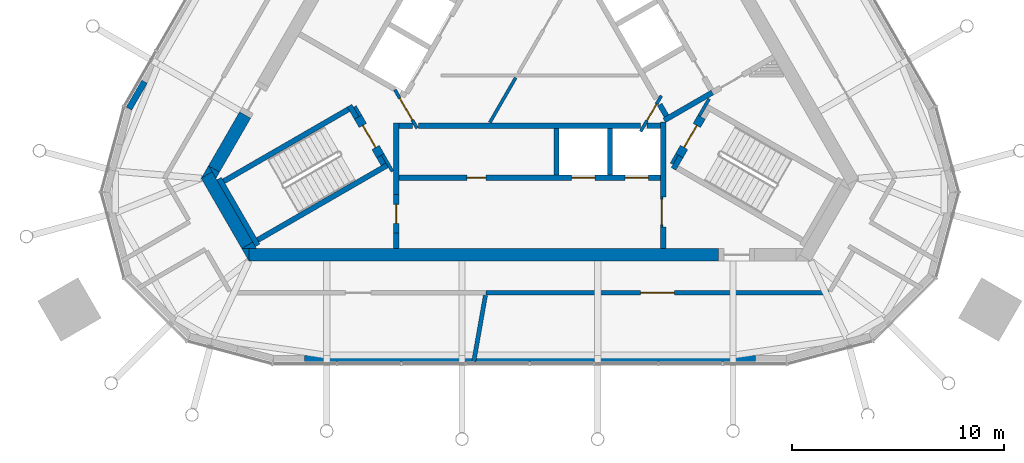
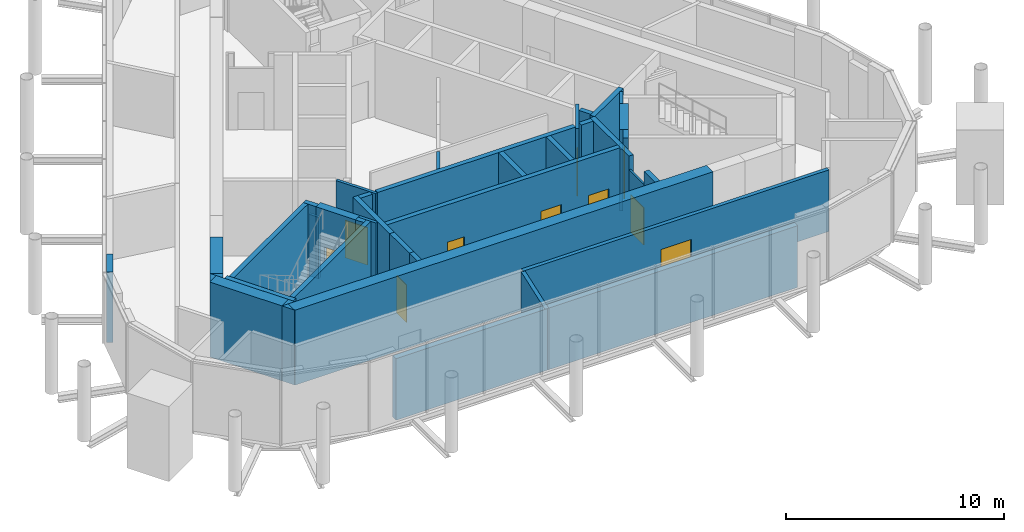
# One storey, part 7 of 11: 40 walls, 10 doors, 10 openings.
"""IFC4 building model written with IfcOpenShell, lengths in metres."""

import ifcopenshell
import ifcopenshell.guid

model = None  # the IFC model being written
_history = None  # IfcOwnerHistory: only IFC2X3 demands one
_inside = {}  # id of a spatial element -> (the spatial element, [elements in it])
_under = {}  # id of a project, library or spatial element -> (it, [spatial elements below it])
_declared = {}  # id of a project -> (the project, [libraries it declares])
_typed = {}  # id of a type object -> (the type object, [elements of that type])
_made_of = {}  # id of a material, layer set ... -> (it, [elements and type objects made of it])


def new_model(schema):
    """Start an empty IFC model of exactly this schema.

    Asked for "IFC4X3", IfcOpenShell would pick the latest addendum, in which some entities
    have other attributes; the version numbers below select the first issue.
    IFC2X3 requires an IfcOwnerHistory on every rooted entity: one is made here for all.
    """
    global model, _history
    if schema == "IFC4X3":
        model = ifcopenshell.file(schema_version=(4, 3, 0, 0))
    else:
        model = ifcopenshell.file(schema=schema)
    _inside.clear()
    _under.clear()
    _declared.clear()
    _typed.clear()
    _made_of.clear()
    _history = None
    if model.schema == "IFC2X3":
        org = make("IfcOrganization", Name="unknown")
        user = make(
            "IfcPersonAndOrganization",
            ThePerson=make("IfcPerson", FamilyName="unknown"),
            TheOrganization=org,
        )
        app = make(
            "IfcApplication",
            ApplicationDeveloper=org,
            Version="unknown",
            ApplicationFullName="unknown",
            ApplicationIdentifier="unknown",
        )
        _history = make(
            "IfcOwnerHistory",
            OwningUser=user,
            OwningApplication=app,
            ChangeAction="ADDED",
            CreationDate=0,
        )
    return model


def make(cls, **values):
    """One entity of the class cls with the attributes given. An attribute that is None is left unset."""
    return model.create_entity(
        cls, **{name: value for name, value in values.items() if value is not None}
    )


def rooted(cls, **values):
    """An entity with a GlobalId (a new one), such as an element, a storey or a relation."""
    return make(cls, GlobalId=ifcopenshell.guid.new(), OwnerHistory=_history, **values)


def si_unit(unit_type, name, prefix=None):
    """IfcSIUnit, for example si_unit("LENGTHUNIT", "METRE", prefix="MILLI")."""
    return make("IfcSIUnit", UnitType=unit_type, Prefix=prefix, Name=name)


def assignment(units):
    """IfcUnitAssignment: the units of a project."""
    return None if units is None else make("IfcUnitAssignment", Units=units)


def point(xyz):
    """IfcCartesianPoint."""
    return None if xyz is None else make("IfcCartesianPoint", Coordinates=xyz)


def direction(xyz):
    """IfcDirection."""
    return None if xyz is None else make("IfcDirection", DirectionRatios=xyz)


def frame(location, z_axis=None, x_axis=None):
    """IfcAxis2Placement3D, a coordinate frame: its origin and axes. An axis left out is left unset."""
    return make(
        "IfcAxis2Placement3D",
        Location=point(location),
        Axis=direction(z_axis),
        RefDirection=direction(x_axis),
    )


def frame_2d(location, x_axis=None):
    """IfcAxis2Placement2D, a coordinate frame in the plane: its origin and x axis."""
    return make(
        "IfcAxis2Placement2D", Location=point(location), RefDirection=direction(x_axis)
    )


def origin():
    """The frame at (0, 0, 0) with its axes left unset."""
    return frame((0.0, 0.0, 0.0))


def place(relative_to, where):
    """IfcLocalPlacement: puts the frame where relative to a parent placement (None: the world)."""
    return make(
        "IfcLocalPlacement", PlacementRelTo=relative_to, RelativePlacement=where
    )


def context(
    kind, dimensions, precision=None, world=None, true_north=None, identifier=None
):
    """IfcGeometricRepresentationContext, for example the 3D "Model" context."""
    return make(
        "IfcGeometricRepresentationContext",
        ContextIdentifier=identifier,
        ContextType=kind,
        CoordinateSpaceDimension=dimensions,
        Precision=precision,
        WorldCoordinateSystem=world,
        TrueNorth=true_north,
    )


def subcontext(parent, identifier, kind, view, scale=None):
    """IfcGeometricRepresentationSubContext, for example "Body" below "Model"."""
    return make(
        "IfcGeometricRepresentationSubContext",
        ContextIdentifier=identifier,
        ContextType=kind,
        ParentContext=parent,
        TargetScale=scale,
        TargetView=view,
    )


def project(units=None, contexts=None):
    """IfcProject with its units and contexts."""
    return rooted(
        "IfcProject",
        Name="project",
        RepresentationContexts=contexts,
        UnitsInContext=assignment(units),
    )


def spatial(cls, under=None, at=None, **own):
    """A site, building, storey or space (cls), placed at a placement, below another one or the project."""
    s = rooted(cls, ObjectPlacement=at, **own)
    if under is not None:
        _under.setdefault(under.id(), (under, []))[1].append(s)
    return s


def polyline(points):
    """IfcPolyline through the points."""
    return make("IfcPolyline", Points=[point(p) for p in points])


def profile(cls, at=None, kind="AREA", **sizes):
    """A parametric profile (cls). Its sizes go by their IFC names, for example OverallWidth=200.0."""
    return make(cls, ProfileType=kind, Position=at, **sizes)


def rectangle(**sizes):
    """IfcRectangleProfileDef."""
    return profile("IfcRectangleProfileDef", **sizes)


def outline(outer, holes=None, kind="AREA"):
    """IfcArbitraryClosedProfileDef: a profile drawn as a closed curve; with holes, ...WithVoids."""
    if holes is None:
        return make("IfcArbitraryClosedProfileDef", ProfileType=kind, OuterCurve=outer)
    return make(
        "IfcArbitraryProfileDefWithVoids",
        ProfileType=kind,
        OuterCurve=outer,
        InnerCurves=holes,
    )


def extrude(swept, where, along, depth):
    """IfcExtrudedAreaSolid: the profile swept, set in the frame where, extruded along a direction by depth."""
    return make(
        "IfcExtrudedAreaSolid",
        SweptArea=swept,
        Position=where,
        ExtrudedDirection=direction(along),
        Depth=depth,
    )


def shape(context_of_items, identifier, shape_type, items):
    """IfcShapeRepresentation: the items that make up one representation, for example the "Body"."""
    return make(
        "IfcShapeRepresentation",
        ContextOfItems=context_of_items,
        RepresentationIdentifier=identifier,
        RepresentationType=shape_type,
        Items=items,
    )


def material(Name=None, Category=None):
    """IfcMaterial."""
    return make("IfcMaterial", Name=Name, Category=Category)


def layer(
    of_material, thickness, ventilated=None, Name=None, Category=None, Priority=None
):
    """IfcMaterialLayer: one layer of a wall or slab, of a material (None: an air gap)."""
    return make(
        "IfcMaterialLayer",
        Material=of_material,
        LayerThickness=thickness,
        IsVentilated=ventilated,
        Name=Name,
        Category=Category,
        Priority=Priority,
    )


def layer_set(layers, Name=None):
    """IfcMaterialLayerSet."""
    return make("IfcMaterialLayerSet", MaterialLayers=layers, LayerSetName=Name)


def made_of(thing, what):
    """Note that an element or type object is made of a material, layer set ...; save() writes the relation."""
    if what is not None:
        _made_of.setdefault(what.id(), (what, []))[1].append(thing)
    return thing


def type_object(cls, material=None, **own):
    """A type object (cls), such as IfcWallType, which elements share."""
    return made_of(rooted(cls, **own), material)


def element(
    cls,
    number,
    at=None,
    inside=None,
    cuts=None,
    type_object=None,
    material=None,
    context=None,
    identifier="Body",
    shape_type=None,
    held_by="IfcProductDefinitionShape",
    body=None,
    shapes=None,
    **own,
):
    """One element of the class cls, such as IfcWall. Its Tag is "e" and its number.

    at: its placement. inside: the storey or other place that contains it. cuts: it is an
    opening in that element (IfcRelVoidsElement). A single representation is given by context,
    identifier, shape_type and body (its items); several are given by shapes. held_by: the class
    of the entity that holds the representations. save() writes the other relations.
    """
    e = rooted(cls, Tag="e%d" % number, ObjectPlacement=at, **own)
    if body is not None:
        shapes = [shape(context, identifier, shape_type, body)]
    if shapes is not None:
        e.Representation = make(held_by, Representations=shapes)
    if inside is not None:
        _inside.setdefault(inside.id(), (inside, []))[1].append(e)
    if cuts is not None:
        rooted(
            "IfcRelVoidsElement", RelatingBuildingElement=cuts, RelatedOpeningElement=e
        )
    if type_object is not None:
        _typed.setdefault(type_object.id(), (type_object, []))[1].append(e)
    return made_of(e, material)


def fill(opening, filler):
    """IfcRelFillsElement: the door or window that sits in an opening."""
    return rooted(
        "IfcRelFillsElement",
        RelatingOpeningElement=opening,
        RelatedBuildingElement=filler,
    )


def aggregate(whole, parts):
    """IfcRelAggregates: a whole, such as a stair, and the parts it consists of."""
    return rooted("IfcRelAggregates", RelatingObject=whole, RelatedObjects=parts)


def save(model, path):
    """Write the relations noted so far, then the file.

    IfcRelAggregates (storeys below a building ...), IfcRelContainedInSpatialStructure (elements
    in a storey), IfcRelDefinesByType, IfcRelAssociatesMaterial and IfcRelDeclares: one each for
    every whole, place, type object, material and project.
    """
    for whole, parts in _under.values():
        aggregate(whole, parts)
    for where, things in _inside.values():
        rooted(
            "IfcRelContainedInSpatialStructure",
            RelatedElements=things,
            RelatingStructure=where,
        )
    for kind, things in _typed.values():
        rooted("IfcRelDefinesByType", RelatedObjects=things, RelatingType=kind)
    for what, things in _made_of.values():
        rooted("IfcRelAssociatesMaterial", RelatedObjects=things, RelatingMaterial=what)
    for by, libraries in _declared.values():
        rooted("IfcRelDeclares", RelatingContext=by, RelatedDefinitions=libraries)
    model.write(path)


model = new_model("IFC4")

# Units and contexts
model_context = context("Model", 3, precision=1e-05, world=origin(), true_north=direction((0.0, 1.0)))
body_context = subcontext(model_context, "Body", "Model", "MODEL_VIEW")
ifc_project = project(units=[si_unit("LENGTHUNIT", "METRE"), si_unit("AREAUNIT", "SQUARE_METRE"), si_unit("VOLUMEUNIT", "CUBIC_METRE"), si_unit("PLANEANGLEUNIT", "RADIAN"), si_unit("MASSUNIT", "GRAM", prefix="KILO")], contexts=[model_context])

# Site, building, storey
site_placement = place(None, origin())
site = spatial("IfcSite", under=ifc_project, at=site_placement, CompositionType="ELEMENT")
building_placement = place(site_placement, origin())
building = spatial("IfcBuilding", under=site, at=building_placement, Name="Mestral Congress Tower", CompositionType="ELEMENT")
storey_placement = place(building_placement, frame((0.0, 0.0, 331.800048828125)))
storey = spatial("IfcBuildingStorey", under=building, at=storey_placement, Name="L77", CompositionType="ELEMENT", Elevation=331.800048828125)

# Walls
ifc_material_1 = material(Name="Fire-rated board partition")
ifc_layer_1 = layer(ifc_material_1, 0.14990234375)
ifc_layer_set_1 = layer_set([ifc_layer_1], Name="Fire-rated board partition")
wall_type_1 = type_object("IfcWallType", Name="Core partition 150", PredefinedType="PARTITIONING", material=ifc_layer_set_1)
for number, where, z_axis, x_axis, name in (
    (1, (-8.251953125, -2.958251953125, 0.0), (0.0, 0.0, 1.0), (0.500174715838, -0.865924508047, 0.0), "L77 core wall"),
    (2, (6.94482421875, -5.22216796875, 0.0), (0.0, 0.0, 1.0), (-0.499818422106, -0.866130212453, 0.0), "L77 core wall"),
):
    element("IfcWall", number, at=place(storey_placement, frame(where, z_axis=z_axis, x_axis=x_axis)), inside=storey, type_object=wall_type_1, Name=name, PredefinedType="PARTITIONING", context=body_context, shape_type="SweptSolid", body=[
        extrude(rectangle(XDim=0.513916015625, YDim=0.14990234375, at=frame_2d((0.2568359375, 0.0))), origin(), (0.0, 0.0, 1.0), 3.449951171875),
    ])
wall_1_placement = place(storey_placement, frame((-0.667724609375, -1.606689453125, 0.0), z_axis=(0.0, 0.0, 1.0), x_axis=(-0.50003736129, -0.866003832159, 0.0)))
element("IfcWall", 3, at=wall_1_placement, inside=storey, type_object=wall_type_1, Name="L77 core wall", PredefinedType="PARTITIONING", context=body_context, shape_type="SweptSolid", body=[
    extrude(rectangle(XDim=2.438232421875, YDim=0.14990234375, at=frame_2d((1.21923828125, 0.0))), origin(), (0.0, 0.0, 1.0), 3.449951171875),
])

# Wall, opening, door
ifc_layer_2 = layer(ifc_material_1, 0.090087890625)
ifc_layer_set_2 = layer_set([ifc_layer_2], Name="Fire-rated board partition")
wall_type_2 = type_object("IfcWallType", Name="Core partition 150 door-wall 90", PredefinedType="PARTITIONING", material=ifc_layer_set_2)
wall_2_placement = place(storey_placement, frame((6.219970703125, -7.23681640625, 0.0), z_axis=(0.0, 0.0, 1.0), x_axis=(0.0, -1.0, 0.0)))
wall_2 = element("IfcWall", 4, at=wall_2_placement, inside=storey, type_object=wall_type_2, Name="L77 door wall", PredefinedType="PARTITIONING", context=body_context, shape_type="SweptSolid", body=[
    extrude(rectangle(XDim=1.400146484375, YDim=0.090087890625, at=frame_2d((0.7001953125, 0.0))), origin(), (0.0, 0.0, 1.0), 3.449951171875),
])
opening_1_placement = place(wall_2_placement, frame((0.10009765625, 0.0, 0.0)))
opening_1 = element("IfcOpeningElement", 5, at=opening_1_placement, cuts=wall_2, Name="Opening LB0-WL1", PredefinedType="OPENING", context=body_context, shape_type="SweptSolid", body=[
    extrude(rectangle(XDim=1.199951171875, YDim=2.10009765625, at=frame_2d((0.60009765625, 1.050048828125))), frame((0.0, 0.054931640625, 0.0), z_axis=(0.0, -1.0, 0.0), x_axis=(1.0, 0.0, 0.0)), (0.0, 0.0, 1.0), 0.110107421875),
])
ifc_material_2 = material(Name="Fire-rated steel door set", Category="steel")
door_type_1 = type_object("IfcDoorType", Name="Core door LB 1200x2100", OperationType="SINGLE_SWING_LEFT", PredefinedType="DOOR", material=ifc_material_2)
door_1_placement = place(opening_1_placement, origin())
door_1 = element("IfcDoor", 6, at=door_1_placement, inside=storey, type_object=door_type_1, Name="Door LB0-WL1", OperationType="SINGLE_SWING_LEFT", OverallHeight=2.10009765625, OverallWidth=1.199951171875, PredefinedType="DOOR", context=body_context, shape_type="SweptSolid", body=[
    extrude(rectangle(XDim=1.199951171875, YDim=2.10009765625, at=frame_2d((0.60009765625, 1.050048828125))), frame((0.0, 0.02490234375, 0.0), z_axis=(0.0, -1.0, 0.0), x_axis=(1.0, 0.0, 0.0)), (0.0, 0.0, 1.0), 0.050048828125),
])
fill(opening_1, door_1)

# Walls
ifc_material_3 = material(Name="Concrete C60/75", Category="concrete")
ifc_layer_3 = layer(ifc_material_3, 0.60009765625)
ifc_layer_set_3 = layer_set([ifc_layer_3], Name="Concrete C60/75")
wall_type_3 = type_object("IfcWallType", Name="Core wall RC 600", PredefinedType="SOLIDWALL", material=ifc_layer_set_3)
wall_3_placement = place(storey_placement, frame((8.904296875, -9.949951171875, 0.0), z_axis=(0.0, 0.0, 1.0), x_axis=(-1.0, 0.0, 0.0)))
element("IfcWall", 7, at=wall_3_placement, inside=storey, type_object=wall_type_3, Name="L77 core wall", PredefinedType="SOLIDWALL", context=body_context, shape_type="SweptSolid", body=[
    extrude(rectangle(XDim=22.160888671875, YDim=0.60009765625, at=frame_2d((11.08056640625, 0.0))), origin(), (0.0, 0.0, 1.0), 4.199951171875),
])
placement = place(storey_placement, origin())
element("IfcWall", 8, at=placement, inside=storey, type_object=wall_type_3, Name="L77 core wall", PredefinedType="SOLIDWALL", context=body_context, shape_type="SweptSolid", body=[
    extrude(outline(polyline([(-13.5966796875, -9.64990234375), (-13.258544921875, -9.64990234375), (-13.258544921875, -10.235595703125), (-13.5966796875, -9.64990234375)])), origin(), (0.0, 0.0, 1.0), 4.199951171875),
])
wall_5_placement = place(storey_placement, frame((-13.33349609375, -9.505615234375, 0.0), z_axis=(0.0, 0.0, 1.0), x_axis=(-0.500019073792, 0.866014391245, 0.0)))
element("IfcWall", 9, at=wall_5_placement, inside=storey, type_object=wall_type_3, Name="L77 core wall", PredefinedType="SOLIDWALL", context=body_context, shape_type="SweptSolid", body=[
    extrude(rectangle(XDim=3.823486328125, YDim=0.60009765625, at=frame_2d((1.91162109375, 0.0))), origin(), (0.0, 0.0, 1.0), 4.199951171875),
])
element("IfcWall", 10, at=placement, inside=storey, type_object=wall_type_3, Name="L77 core wall", PredefinedType="SOLIDWALL", context=body_context, shape_type="SweptSolid", body=[
    extrude(outline(polyline([(-14.986572265625, -6.042724609375), (-15.493408203125, -6.33544921875), (-15.155517578125, -5.75), (-14.986572265625, -6.042724609375)])), origin(), (0.0, 0.0, 1.0), 4.199951171875),
])
element("IfcWall", 11, at=placement, inside=storey, type_object=wall_type_3, Name="L77 core wall", PredefinedType="SOLIDWALL", context=body_context, shape_type="SweptSolid", body=[
    extrude(outline(polyline([(-12.90380859375, -9.64990234375), (-13.579833984375, -9.64990234375), (-13.07275390625, -9.357421875), (-12.90380859375, -9.64990234375)])), origin(), (0.0, 0.0, 1.0), 4.199951171875),
])
wall_8_placement = place(storey_placement, frame((-13.431640625, -3.3642578125, 0.0), z_axis=(0.0, 0.0, 1.0), x_axis=(-0.499960127962, -0.866048422692, 0.0)))
element("IfcWall", 12, at=wall_8_placement, inside=storey, type_object=wall_type_3, Name="L77 core wall", PredefinedType="SOLIDWALL", context=body_context, shape_type="SweptSolid", body=[
    extrude(rectangle(XDim=2.934326171875, YDim=0.60009765625, at=frame_2d((1.46728515625, 0.0))), origin(), (0.0, 0.0, 1.0), 4.199951171875),
])
element("IfcWall", 13, at=placement, inside=storey, type_object=wall_type_3, Name="L77 core wall", PredefinedType="SOLIDWALL", context=body_context, shape_type="SweptSolid", body=[
    extrude(outline(polyline([(-14.80908203125, -6.35009765625), (-15.147216796875, -5.764404296875), (-14.639892578125, -6.057373046875), (-14.80908203125, -6.35009765625)])), origin(), (0.0, 0.0, 1.0), 4.199951171875),
])
ifc_material_4 = material(Name="Precast concrete C40/50 with limestone facing", Category="masonry")
ifc_layer_4 = layer(ifc_material_4, 0.300048828125)
ifc_layer_set_4 = layer_set([ifc_layer_4], Name="Precast concrete C40/50 with limestone facing")
wall_type_4 = type_object("IfcWallType", Name="Crown plant block wall 300", PredefinedType="SOLIDWALL", material=ifc_layer_set_4)
wall_10_placement = place(storey_placement, frame((-18.180908203125, -1.790283203125, 0.0), z_axis=(0.0, 0.0, 1.0), x_axis=(-0.500049712553, -0.865996700326, 0.0)))
element("IfcWall", 14, at=wall_10_placement, inside=storey, type_object=wall_type_4, Name="Plant block wall 10", PredefinedType="SOLIDWALL", context=body_context, shape_type="SweptSolid", body=[
    extrude(rectangle(XDim=1.463623046875, YDim=0.300048828125, at=frame_2d((0.73193359375, 0.0))), origin(), (0.0, 0.0, 1.0), 3.949951171875),
])
ifc_layer_5 = layer(ifc_material_4, 0.300048828125)
ifc_layer_set_5 = layer_set([ifc_layer_5], Name="Precast concrete C40/50 with limestone facing")
wall_type_5 = type_object("IfcWallType", Name="Crown plant block wall 300 under girder", PredefinedType="SOLIDWALL", material=ifc_layer_set_5)
wall_11_placement = place(storey_placement, frame((-10.640869140625, -14.85009765625, 0.0), z_axis=(0.0, 0.0, 1.0), x_axis=(1.0, 0.0, 0.0)))
element("IfcWall", 15, at=wall_11_placement, inside=storey, type_object=wall_type_5, Name="Plant block wall 15", PredefinedType="SOLIDWALL", context=body_context, shape_type="SweptSolid", body=[
    extrude(rectangle(XDim=21.28173828125, YDim=0.300048828125, at=frame_2d((10.640869140625, 0.0))), origin(), (0.0, 0.0, 1.0), 3.449951171875),
])
ifc_layer_6 = layer(ifc_material_3, 0.25)
ifc_layer_set_6 = layer_set([ifc_layer_6], Name="Concrete C60/75")
wall_type_6 = type_object("IfcWallType", Name="Shaft wall RC 250", PredefinedType="SOLIDWALL", material=ifc_layer_set_6)
wall_12_placement = place(storey_placement, frame((6.300048828125, -7.239990234375, 0.0), z_axis=(0.0, 0.0, 1.0), x_axis=(0.0, 1.0, 0.0)))
element("IfcWall", 16, at=wall_12_placement, inside=storey, type_object=wall_type_6, Name="L77 core wall", PredefinedType="SOLIDWALL", context=body_context, shape_type="SweptSolid", body=[
    extrude(rectangle(XDim=3.55615234375, YDim=0.25, at=frame_2d((1.778076171875, 0.0))), origin(), (0.0, 0.0, 1.0), 4.199951171875),
])
wall_13_placement = place(storey_placement, frame((6.300048828125, -9.64990234375, 0.0), z_axis=(0.0, 0.0, 1.0), x_axis=(0.0, 1.0, 0.0)))
element("IfcWall", 17, at=wall_13_placement, inside=storey, type_object=wall_type_6, Name="L77 core wall", PredefinedType="SOLIDWALL", context=body_context, shape_type="SweptSolid", body=[
    extrude(rectangle(XDim=1.0078125, YDim=0.25, at=frame_2d((0.50390625, 0.0))), origin(), (0.0, 0.0, 1.0), 4.199951171875),
])
wall_14_placement = place(storey_placement, frame((5.538330078125, -3.875, 0.0), z_axis=(0.0, 0.0, 1.0), x_axis=(1.0, 0.0, 0.0)))
element("IfcWall", 18, at=wall_14_placement, inside=storey, type_object=wall_type_6, Name="L77 core wall", PredefinedType="SOLIDWALL", context=body_context, shape_type="SweptSolid", body=[
    extrude(rectangle(XDim=0.63671875, YDim=0.25, at=frame_2d((0.318359375, 0.0))), origin(), (0.0, 0.0, 1.0), 4.199951171875),
])
wall_15_placement = place(storey_placement, frame((-5.25927734375, -3.875, 0.0), z_axis=(0.0, 0.0, 1.0), x_axis=(1.0, 0.0, 0.0)))
element("IfcWall", 19, at=wall_15_placement, inside=storey, type_object=wall_type_6, Name="L77 core wall", PredefinedType="SOLIDWALL", context=body_context, shape_type="SweptSolid", body=[
    extrude(rectangle(XDim=10.488525390625, YDim=0.25, at=frame_2d((5.244140625, 0.0))), origin(), (0.0, 0.0, 1.0), 4.199951171875),
])
for number, where, z_axis, x_axis, name in (
    (20, (1.260009765625, -4.0, 0.0), (0.0, 0.0, 1.0), (0.0, -1.0, 0.0), "L77 core wall"),
    (21, (3.780029296875, -4.0, 0.0), (0.0, 0.0, 1.0), (0.0, -1.0, 0.0), "L77 core wall"),
):
    element("IfcWall", number, at=place(storey_placement, frame(where, z_axis=z_axis, x_axis=x_axis)), inside=storey, type_object=wall_type_6, Name=name, PredefinedType="SOLIDWALL", context=body_context, shape_type="SweptSolid", body=[
        extrude(rectangle(XDim=2.199951171875, YDim=0.25, at=frame_2d((1.10009765625, 0.0))), origin(), (0.0, 0.0, 1.0), 4.199951171875),
    ])
wall_16_placement = place(storey_placement, frame((-6.300048828125, -7.12451171875, 0.0), z_axis=(0.0, 0.0, 1.0), x_axis=(0.0, 1.0, 0.0)))
element("IfcWall", 22, at=wall_16_placement, inside=storey, type_object=wall_type_6, Name="L77 core wall", PredefinedType="SOLIDWALL", context=body_context, shape_type="SweptSolid", body=[
    extrude(rectangle(XDim=3.37451171875, YDim=0.25, at=frame_2d((1.687255859375, 0.0))), origin(), (0.0, 0.0, 1.0), 4.199951171875),
])
wall_17_placement = place(storey_placement, frame((-6.175048828125, -3.875, 0.0), z_axis=(0.0, 0.0, 1.0), x_axis=(1.0, 0.0, 0.0)))
element("IfcWall", 23, at=wall_17_placement, inside=storey, type_object=wall_type_6, Name="L77 core wall", PredefinedType="SOLIDWALL", context=body_context, shape_type="SweptSolid", body=[
    extrude(rectangle(XDim=0.63671875, YDim=0.25, at=frame_2d((0.318359375, 0.0))), origin(), (0.0, 0.0, 1.0), 4.199951171875),
])
wall_18_placement = place(storey_placement, frame((-6.300048828125, -8.9248046875, 0.0), z_axis=(0.0, 0.0, 1.0), x_axis=(0.0, -1.0, 0.0)))
element("IfcWall", 24, at=wall_18_placement, inside=storey, type_object=wall_type_6, Name="L77 core wall", PredefinedType="SOLIDWALL", context=body_context, shape_type="SweptSolid", body=[
    extrude(rectangle(XDim=0.72509765625, YDim=0.25, at=frame_2d((0.362548828125, 0.0))), origin(), (0.0, 0.0, 1.0), 4.199951171875),
])
wall_19_placement = place(storey_placement, frame((8.6103515625, -2.303466796875, 0.0), z_axis=(0.0, 0.0, 1.0), x_axis=(-0.866056864386, -0.49994550468, 0.0)))
element("IfcWall", 25, at=wall_19_placement, inside=storey, type_object=wall_type_6, Name="L77 core wall", PredefinedType="SOLIDWALL", context=body_context, shape_type="SweptSolid", body=[
    extrude(rectangle(XDim=2.621337890625, YDim=0.25, at=frame_2d((1.310546875, 0.0))), origin(), (0.0, 0.0, 1.0), 4.199951171875),
])
wall_20_placement = place(storey_placement, frame((6.1298828125, -2.867431640625, 0.0), z_axis=(0.0, 0.0, 1.0), x_axis=(0.500160776593, -0.865932559475, 0.0)))
element("IfcWall", 26, at=wall_20_placement, inside=storey, type_object=wall_type_6, Name="L77 core wall", PredefinedType="SOLIDWALL", context=body_context, shape_type="SweptSolid", body=[
    extrude(rectangle(XDim=0.626708984375, YDim=0.25, at=frame_2d((0.3134765625, 0.0))), origin(), (0.0, 0.0, 1.0), 4.199951171875),
])

# Wall, openings, doors
wall_21_placement = place(storey_placement, frame((-6.175048828125, -6.324951171875, 0.0), z_axis=(0.0, 0.0, 1.0), x_axis=(1.0, 0.0, 0.0)))
wall_21 = element("IfcWall", 27, at=wall_21_placement, inside=storey, type_object=wall_type_6, Name="L77 door wall", PredefinedType="SOLIDWALL", context=body_context, shape_type="SweptSolid", body=[
    extrude(rectangle(XDim=12.35009765625, YDim=0.25, at=frame_2d((6.175048828125, 0.0))), origin(), (0.0, 0.0, 1.0), 4.199951171875),
])
opening_2_placement = place(wall_21_placement, frame((3.205078125, 0.0, 0.0)))
opening_2 = element("IfcOpeningElement", 28, at=opening_2_placement, cuts=wall_21, Name="Opening SR-SOB1", PredefinedType="OPENING", context=body_context, shape_type="SweptSolid", body=[
    extrude(rectangle(XDim=0.89990234375, YDim=2.10009765625, at=frame_2d((0.449951171875, 1.050048828125))), frame((0.0, 0.135009765625, 0.0), z_axis=(0.0, -1.0, 0.0), x_axis=(1.0, 0.0, 0.0)), (0.0, 0.0, 1.0), 0.27001953125),
])
opening_3_placement = place(wall_21_placement, frame((8.14501953125, 0.0, 0.0)))
opening_3 = element("IfcOpeningElement", 29, at=opening_3_placement, cuts=wall_21, Name="Opening LD-SOB4", PredefinedType="OPENING", context=body_context, shape_type="SweptSolid", body=[
    extrude(rectangle(XDim=1.10009765625, YDim=2.10009765625, at=frame_2d((0.550048828125, 1.050048828125))), frame((0.0, 0.135009765625, 0.0), z_axis=(0.0, -1.0, 0.0), x_axis=(1.0, 0.0, 0.0)), (0.0, 0.0, 1.0), 0.27001953125),
])
opening_4_placement = place(wall_21_placement, frame((10.6650390625, 0.0, 0.0)))
opening_4 = element("IfcOpeningElement", 30, at=opening_4_placement, cuts=wall_21, Name="Opening LD-SOB5", PredefinedType="OPENING", context=body_context, shape_type="SweptSolid", body=[
    extrude(rectangle(XDim=1.10009765625, YDim=2.10009765625, at=frame_2d((0.550048828125, 1.050048828125))), frame((0.0, 0.135009765625, 0.0), z_axis=(0.0, -1.0, 0.0), x_axis=(1.0, 0.0, 0.0)), (0.0, 0.0, 1.0), 0.27001953125),
])
door_type_2 = type_object("IfcDoorType", Name="Core door LD 1100x2100", OperationType="DOUBLE_DOOR_SLIDING", PredefinedType="DOOR", material=ifc_material_2)
door_2_placement = place(opening_3_placement, origin())
door_2 = element("IfcDoor", 31, at=door_2_placement, inside=storey, type_object=door_type_2, Name="Door LD-SOB4", OperationType="DOUBLE_DOOR_SLIDING", OverallHeight=2.10009765625, OverallWidth=1.10009765625, PredefinedType="DOOR", context=body_context, shape_type="SweptSolid", body=[
    extrude(rectangle(XDim=1.10009765625, YDim=2.10009765625, at=frame_2d((0.550048828125, 1.050048828125))), frame((0.0, 0.02490234375, 0.0), z_axis=(0.0, -1.0, 0.0), x_axis=(1.0, 0.0, 0.0)), (0.0, 0.0, 1.0), 0.050048828125),
])
fill(opening_3, door_2)
door_3_placement = place(opening_4_placement, origin())
door_3 = element("IfcDoor", 32, at=door_3_placement, inside=storey, type_object=door_type_2, Name="Door LD-SOB5", OperationType="DOUBLE_DOOR_SLIDING", OverallHeight=2.10009765625, OverallWidth=1.10009765625, PredefinedType="DOOR", context=body_context, shape_type="SweptSolid", body=[
    extrude(rectangle(XDim=1.10009765625, YDim=2.10009765625, at=frame_2d((0.550048828125, 1.050048828125))), frame((0.0, 0.02490234375, 0.0), z_axis=(0.0, -1.0, 0.0), x_axis=(1.0, 0.0, 0.0)), (0.0, 0.0, 1.0), 0.050048828125),
])
fill(opening_4, door_3)
door_type_3 = type_object("IfcDoorType", Name="Core door SR 900x2100", OperationType="SINGLE_SWING_LEFT", PredefinedType="DOOR", material=ifc_material_2)
door_4_placement = place(opening_2_placement, origin())
door_4 = element("IfcDoor", 33, at=door_4_placement, inside=storey, type_object=door_type_3, Name="Door SR-SOB1", OperationType="SINGLE_SWING_LEFT", OverallHeight=2.10009765625, OverallWidth=0.89990234375, PredefinedType="DOOR", context=body_context, shape_type="SweptSolid", body=[
    extrude(rectangle(XDim=0.89990234375, YDim=2.10009765625, at=frame_2d((0.449951171875, 1.050048828125))), frame((0.0, 0.02490234375, 0.0), z_axis=(0.0, -1.0, 0.0), x_axis=(1.0, 0.0, 0.0)), (0.0, 0.0, 1.0), 0.050048828125),
])
fill(opening_2, door_4)

# Wall, opening, door
wall_22_placement = place(storey_placement, frame((-6.300048828125, -7.12451171875, 0.0), z_axis=(0.0, 0.0, 1.0), x_axis=(0.0, -1.0, 0.0)))
wall_22 = element("IfcWall", 34, at=wall_22_placement, inside=storey, type_object=wall_type_6, Name="L77 door wall", PredefinedType="SOLIDWALL", context=body_context, shape_type="SweptSolid", body=[
    extrude(rectangle(XDim=1.800048828125, YDim=0.25, at=frame_2d((0.89990234375, 0.0))), origin(), (0.0, 0.0, 1.0), 4.199951171875),
])
opening_5_placement = place(wall_22_placement, frame((0.449951171875, 0.0, 0.0)))
opening_5 = element("IfcOpeningElement", 35, at=opening_5_placement, cuts=wall_22, Name="Opening TD3", PredefinedType="OPENING", context=body_context, shape_type="SweptSolid", body=[
    extrude(rectangle(XDim=0.89990234375, YDim=2.10009765625, at=frame_2d((0.449951171875, 1.050048828125))), frame((0.0, 0.135009765625, 0.0), z_axis=(0.0, -1.0, 0.0), x_axis=(1.0, 0.0, 0.0)), (0.0, 0.0, 1.0), 0.27001953125),
])
door_5_placement = place(opening_5_placement, origin())
door_5 = element("IfcDoor", 36, at=door_5_placement, inside=storey, type_object=door_type_3, Name="Door TD3", OperationType="SINGLE_SWING_LEFT", OverallHeight=2.10009765625, OverallWidth=0.89990234375, PredefinedType="DOOR", context=body_context, shape_type="SweptSolid", body=[
    extrude(rectangle(XDim=0.89990234375, YDim=2.10009765625, at=frame_2d((0.449951171875, 1.050048828125))), frame((0.0, 0.02490234375, 0.0), z_axis=(0.0, -1.0, 0.0), x_axis=(1.0, 0.0, 0.0)), (0.0, 0.0, 1.0), 0.050048828125),
])
fill(opening_5, door_5)

# Walls
ifc_layer_7 = layer(ifc_material_3, 0.14990234375)
ifc_layer_set_7 = layer_set([ifc_layer_7], Name="Concrete C60/75")
wall_type_7 = type_object("IfcWallType", Name="Shaft wall RC 250 door-wall 150", PredefinedType="SOLIDWALL", material=ifc_layer_set_7)
wall_23_placement = place(storey_placement, frame((-6.48046875, -6.026611328125, 0.0), z_axis=(0.0, 0.0, 1.0), x_axis=(-0.499927229454, 0.866067413802, 0.0)))
element("IfcWall", 37, at=wall_23_placement, inside=storey, type_object=wall_type_7, Name="L77 core wall", PredefinedType="PARTITIONING", context=body_context, shape_type="SweptSolid", body=[
    extrude(rectangle(XDim=0.928955078125, YDim=0.14990234375, at=frame_2d((0.46435546875, 0.0))), origin(), (0.0, 0.0, 1.0), 4.199951171875),
])
wall_24_placement = place(storey_placement, frame((8.459228515625, -2.59912109375, 0.0), z_axis=(0.0, 0.0, 1.0), x_axis=(-0.500041054325, -0.866001699761, 0.0)))
element("IfcWall", 38, at=wall_24_placement, inside=storey, type_object=wall_type_7, Name="L77 core wall", PredefinedType="PARTITIONING", context=body_context, shape_type="SweptSolid", body=[
    extrude(rectangle(XDim=0.9287109375, YDim=0.14990234375, at=frame_2d((0.46435546875, 0.0))), origin(), (0.0, 0.0, 1.0), 4.199951171875),
])

# Wall, opening, door
wall_25_placement = place(storey_placement, frame((6.203369140625, -2.45556640625, 0.0), z_axis=(0.0, 0.0, 1.0), x_axis=(-0.500043961785, -0.866000020948, 0.0)))
wall_25 = element("IfcWall", 39, at=wall_25_placement, inside=storey, type_object=wall_type_7, Name="L77 door wall", PredefinedType="PARTITIONING", context=body_context, shape_type="SweptSolid", body=[
    extrude(rectangle(XDim=1.949951171875, YDim=0.14990234375, at=frame_2d((0.97509765625, 0.0))), origin(), (0.0, 0.0, 1.0), 4.199951171875),
])
opening_6_placement = place(wall_25_placement, frame((0.449951171875, 0.0, 0.0)))
opening_6 = element("IfcOpeningElement", 40, at=opening_6_placement, cuts=wall_25, Name="Opening CD1-HUB0", PredefinedType="OPENING", context=body_context, shape_type="SweptSolid", body=[
    extrude(rectangle(XDim=0.89990234375, YDim=2.10009765625, at=frame_2d((0.449951171875, 1.050048828125))), frame((0.0, 0.0849609375, 0.0), z_axis=(0.0, -1.0, 0.0), x_axis=(1.0, 0.0, 0.0)), (0.0, 0.0, 1.0), 0.169921875),
])
door_type_4 = type_object("IfcDoorType", Name="Core door CD 900x2100", OperationType="SINGLE_SWING_LEFT", PredefinedType="DOOR", material=ifc_material_2)
door_6_placement = place(opening_6_placement, origin())
door_6 = element("IfcDoor", 41, at=door_6_placement, inside=storey, type_object=door_type_4, Name="Door CD1-HUB0", OperationType="SINGLE_SWING_LEFT", OverallHeight=2.10009765625, OverallWidth=0.89990234375, PredefinedType="DOOR", context=body_context, shape_type="SweptSolid", body=[
    extrude(rectangle(XDim=0.89990234375, YDim=2.10009765625, at=frame_2d((0.449951171875, 1.050048828125))), frame((0.0, 0.02490234375, 0.0), z_axis=(0.0, -1.0, 0.0), x_axis=(1.0, 0.0, 0.0)), (0.0, 0.0, 1.0), 0.050048828125),
])
fill(opening_6, door_6)

wall_26_placement = place(storey_placement, frame((-5.3173828125, -3.98974609375, 0.0), z_axis=(0.0, 0.0, 1.0), x_axis=(-0.500027713859, 0.866009402589, 0.0)))
wall_26 = element("IfcWall", 42, at=wall_26_placement, inside=storey, type_object=wall_type_7, Name="L77 door wall", PredefinedType="PARTITIONING", context=body_context, shape_type="SweptSolid", body=[
    extrude(rectangle(XDim=2.10009765625, YDim=0.14990234375, at=frame_2d((1.050048828125, 0.0))), origin(), (0.0, 0.0, 1.0), 4.199951171875),
])
opening_7_placement = place(wall_26_placement, frame((0.449951171875, 0.0, 0.0)))
opening_7 = element("IfcOpeningElement", 43, at=opening_7_placement, cuts=wall_26, Name="Opening CD3-FF", PredefinedType="OPENING", context=body_context, shape_type="SweptSolid", body=[
    extrude(rectangle(XDim=1.199951171875, YDim=2.10009765625, at=frame_2d((0.60009765625, 1.050048828125))), frame((0.0, 0.0849609375, 0.0), z_axis=(0.0, -1.0, 0.0), x_axis=(1.0, 0.0, 0.0)), (0.0, 0.0, 1.0), 0.169921875),
])
door_type_5 = type_object("IfcDoorType", Name="Core door CD 1200x2100", OperationType="SINGLE_SWING_LEFT", PredefinedType="DOOR", material=ifc_material_2)
door_7_placement = place(opening_7_placement, origin())
door_7 = element("IfcDoor", 44, at=door_7_placement, inside=storey, type_object=door_type_5, Name="Door CD3-FF", OperationType="SINGLE_SWING_LEFT", OverallHeight=2.10009765625, OverallWidth=1.199951171875, PredefinedType="DOOR", context=body_context, shape_type="SweptSolid", body=[
    extrude(rectangle(XDim=1.199951171875, YDim=2.10009765625, at=frame_2d((0.60009765625, 1.050048828125))), frame((0.0, 0.02490234375, 0.0), z_axis=(0.0, -1.0, 0.0), x_axis=(1.0, 0.0, 0.0)), (0.0, 0.0, 1.0), 0.050048828125),
])
fill(opening_7, door_7)

ifc_material_5 = material(Name="Concrete block wall, plastered", Category="concrete")
ifc_layer_8 = layer(ifc_material_5, 0.199951171875)
ifc_layer_set_8 = layer_set([ifc_layer_8], Name="Concrete block wall, plastered")
wall_type_8 = type_object("IfcWallType", Name="Special partition 200 EI 120", PredefinedType="PARTITIONING", material=ifc_layer_set_8)
wall_27_placement = place(storey_placement, frame((-2.072021484375, -11.75, 0.0), z_axis=(0.0, 0.0, 1.0), x_axis=(1.0, 0.0, 0.0)))
wall_27 = element("IfcWall", 45, at=wall_27_placement, inside=storey, type_object=wall_type_8, Name="Partition", PredefinedType="PARTITIONING", context=body_context, shape_type="SweptSolid", body=[
    extrude(rectangle(XDim=16.188232421875, YDim=0.199951171875, at=frame_2d((8.09423828125, 0.0))), origin(), (0.0, 0.0, 1.0), 3.449951171875),
])
opening_8_placement = place(wall_27_placement, frame((7.294189453125, 0.0, 0.0)))
opening_8 = element("IfcOpeningElement", 46, at=opening_8_placement, cuts=wall_27, Name="Opening K77-003", PredefinedType="OPENING", context=body_context, shape_type="SweptSolid", body=[
    extrude(rectangle(XDim=1.60009765625, YDim=2.10009765625, at=frame_2d((0.800048828125, 1.050048828125))), frame((0.0, 0.10986328125, 0.0), z_axis=(0.0, -1.0, 0.0), x_axis=(1.0, 0.0, 0.0)), (0.0, 0.0, 1.0), 0.219970703125),
])
door_type_6 = type_object("IfcDoorType", Name="Plant room double door 1600x2100", OperationType="DOUBLE_DOOR_SINGLE_SWING", PredefinedType="DOOR", material=ifc_material_2)
door_8_placement = place(opening_8_placement, origin())
door_8 = element("IfcDoor", 47, at=door_8_placement, inside=storey, type_object=door_type_6, Name="Door K77-003", OperationType="DOUBLE_DOOR_SINGLE_SWING", OverallHeight=2.10009765625, OverallWidth=1.60009765625, PredefinedType="DOOR", context=body_context, shape_type="SweptSolid", body=[
    extrude(rectangle(XDim=1.60009765625, YDim=2.10009765625, at=frame_2d((0.800048828125, 1.050048828125))), frame((0.0, 0.02490234375, 0.0), z_axis=(0.0, -1.0, 0.0), x_axis=(1.0, 0.0, 0.0)), (0.0, 0.0, 1.0), 0.050048828125),
])
fill(opening_8, door_8)

# Walls
wall_28_placement = place(storey_placement, frame((-2.0927734375, -11.8681640625, 0.0), z_axis=(0.0, 0.0, 1.0), x_axis=(-0.173605503529, -0.984815276661, 0.0)))
element("IfcWall", 48, at=wall_28_placement, inside=storey, type_object=wall_type_8, Name="Partition", PredefinedType="PARTITIONING", context=body_context, shape_type="SweptSolid", body=[
    extrude(rectangle(XDim=3.175537109375, YDim=0.199951171875, at=frame_2d((1.587890625, 0.0))), origin(), (0.0, 0.0, 1.0), 3.449951171875),
])
ifc_layer_9 = layer(ifc_material_3, 0.25)
ifc_layer_set_9 = layer_set([ifc_layer_9], Name="Concrete C60/75")
wall_type_9 = type_object("IfcWallType", Name="Stair wall RC 250", PredefinedType="SOLIDWALL", material=ifc_layer_set_9)
wall_29_placement = place(storey_placement, frame((6.780029296875, -5.906494140625, 0.0), z_axis=(0.0, 0.0, 1.0), x_axis=(0.500223362819, 0.865896406789, 0.0)))
element("IfcWall", 49, at=wall_29_placement, inside=storey, type_object=wall_type_9, Name="L77 core wall", PredefinedType="SOLIDWALL", context=body_context, shape_type="SweptSolid", body=[
    extrude(rectangle(XDim=0.675048828125, YDim=0.25, at=frame_2d((0.33740234375, 0.0))), origin(), (0.0, 0.0, 1.0), 4.199951171875),
])
wall_30_placement = place(storey_placement, frame((-12.839599609375, -9.510986328125, 0.0), z_axis=(0.0, 0.0, 1.0), x_axis=(-0.499997733992, 0.866026712061, 0.0)))
element("IfcWall", 50, at=wall_30_placement, inside=storey, type_object=wall_type_9, Name="L77 core wall", PredefinedType="SOLIDWALL", context=body_context, shape_type="SweptSolid", body=[
    extrude(rectangle(XDim=3.6337890625, YDim=0.25, at=frame_2d((1.81689453125, 0.0))), origin(), (0.0, 0.0, 1.0), 4.199951171875),
])
wall_31_placement = place(storey_placement, frame((-14.43994140625, -6.489501953125, 0.0), z_axis=(0.0, 0.0, 1.0), x_axis=(0.866022966069, 0.500004222222, 0.0)))
element("IfcWall", 51, at=wall_31_placement, inside=storey, type_object=wall_type_9, Name="L77 core wall", PredefinedType="SOLIDWALL", context=body_context, shape_type="SweptSolid", body=[
    extrude(rectangle(XDim=6.80029296875, YDim=0.25, at=frame_2d((3.400146484375, 0.0))), origin(), (0.0, 0.0, 1.0), 4.199951171875),
])
wall_32_placement = place(storey_placement, frame((-8.167724609375, -3.503173828125, 0.0), z_axis=(0.0, 0.0, 1.0), x_axis=(-0.499952099219, 0.866053057547, 0.0)))
element("IfcWall", 52, at=wall_32_placement, inside=storey, type_object=wall_type_9, Name="L77 core wall", PredefinedType="SOLIDWALL", context=body_context, shape_type="SweptSolid", body=[
    extrude(rectangle(XDim=0.6748046875, YDim=0.25, at=frame_2d((0.33740234375, 0.0))), origin(), (0.0, 0.0, 1.0), 4.199951171875),
])
wall_33_placement = place(storey_placement, frame((-12.83984375, -9.2607421875, 0.0), z_axis=(0.0, 0.0, 1.0), x_axis=(0.866016039709, 0.500016218704, 0.0)))
element("IfcWall", 53, at=wall_33_placement, inside=storey, type_object=wall_type_9, Name="L77 core wall", PredefinedType="SOLIDWALL", context=body_context, shape_type="SweptSolid", body=[
    extrude(rectangle(XDim=7.050048828125, YDim=0.25, at=frame_2d((3.52490234375, 0.0))), origin(), (0.0, 0.0, 1.0), 4.199951171875),
])
wall_34_placement = place(storey_placement, frame((-6.905029296875, -5.68994140625, 0.0), z_axis=(0.0, 0.0, 1.0), x_axis=(-0.500402024738, 0.865793170242, 0.0)))
element("IfcWall", 54, at=wall_34_placement, inside=storey, type_object=wall_type_9, Name="L77 core wall", PredefinedType="SOLIDWALL", context=body_context, shape_type="SweptSolid", body=[
    extrude(rectangle(XDim=0.425048828125, YDim=0.25, at=frame_2d((0.21240234375, 0.0))), origin(), (0.0, 0.0, 1.0), 4.199951171875),
])

# Wall, opening, door
ifc_layer_10 = layer(ifc_material_3, 0.39990234375)
ifc_layer_set_10 = layer_set([ifc_layer_10], Name="Concrete C60/75")
wall_type_10 = type_object("IfcWallType", Name="Stair wall RC 250 door-wall 400", PredefinedType="SOLIDWALL", material=ifc_layer_set_10)
wall_35_placement = place(storey_placement, frame((7.052734375, -5.2841796875, 0.0), z_axis=(0.0, 0.0, 1.0), x_axis=(0.500078061341, 0.865980330357, 0.0)))
wall_35 = element("IfcWall", 55, at=wall_35_placement, inside=storey, type_object=wall_type_10, Name="L77 door wall", PredefinedType="SOLIDWALL", context=body_context, shape_type="SweptSolid", body=[
    extrude(rectangle(XDim=2.099853515625, YDim=0.39990234375, at=frame_2d((1.0498046875, 0.0))), origin(), (0.0, 0.0, 1.0), 4.199951171875),
])
opening_9_placement = place(wall_35_placement, frame((0.449951171875, 0.0, 0.0)))
opening_9 = element("IfcOpeningElement", 56, at=opening_9_placement, cuts=wall_35, Name="Opening ST-D1", PredefinedType="OPENING", context=body_context, shape_type="SweptSolid", body=[
    extrude(rectangle(XDim=1.199951171875, YDim=2.10009765625, at=frame_2d((0.60009765625, 1.050048828125))), frame((0.0, 0.2099609375, 0.0), z_axis=(0.0, -1.0, 0.0), x_axis=(1.0, 0.0, 0.0)), (0.0, 0.0, 1.0), 0.419921875),
])
door_type_7 = type_object("IfcDoorType", Name="Core door ST 1200x2100", OperationType="SINGLE_SWING_LEFT", PredefinedType="DOOR", material=ifc_material_2)
door_9_placement = place(opening_9_placement, origin())
door_9 = element("IfcDoor", 57, at=door_9_placement, inside=storey, type_object=door_type_7, Name="Door ST-D1", OperationType="SINGLE_SWING_LEFT", OverallHeight=2.10009765625, OverallWidth=1.199951171875, PredefinedType="DOOR", context=body_context, shape_type="SweptSolid", body=[
    extrude(rectangle(XDim=1.199951171875, YDim=2.10009765625, at=frame_2d((0.60009765625, 1.050048828125))), frame((0.0, 0.02490234375, 0.0), z_axis=(0.0, -1.0, 0.0), x_axis=(1.0, 0.0, 0.0)), (0.0, 0.0, 1.0), 0.050048828125),
])
fill(opening_9, door_9)

wall_36_placement = place(storey_placement, frame((-8.102783203125, -3.4658203125, 0.0), z_axis=(0.0, 0.0, 1.0), x_axis=(0.500078061341, -0.865980330357, 0.0)))
wall_36 = element("IfcWall", 58, at=wall_36_placement, inside=storey, type_object=wall_type_10, Name="L77 door wall", PredefinedType="SOLIDWALL", context=body_context, shape_type="SweptSolid", body=[
    extrude(rectangle(XDim=2.099853515625, YDim=0.39990234375, at=frame_2d((1.0498046875, 0.0))), origin(), (0.0, 0.0, 1.0), 4.199951171875),
])
opening_10_placement = place(wall_36_placement, frame((0.449951171875, 0.0, 0.0)))
opening_10 = element("IfcOpeningElement", 59, at=opening_10_placement, cuts=wall_36, Name="Opening ST-D3", PredefinedType="OPENING", context=body_context, shape_type="SweptSolid", body=[
    extrude(rectangle(XDim=1.199951171875, YDim=2.10009765625, at=frame_2d((0.60009765625, 1.050048828125))), frame((0.0, 0.2099609375, 0.0), z_axis=(0.0, -1.0, 0.0), x_axis=(1.0, 0.0, 0.0)), (0.0, 0.0, 1.0), 0.419921875),
])
door_10_placement = place(opening_10_placement, origin())
door_10 = element("IfcDoor", 60, at=door_10_placement, inside=storey, type_object=door_type_7, Name="Door ST-D3", OperationType="SINGLE_SWING_LEFT", OverallHeight=2.10009765625, OverallWidth=1.199951171875, PredefinedType="DOOR", context=body_context, shape_type="SweptSolid", body=[
    extrude(rectangle(XDim=1.199951171875, YDim=2.10009765625, at=frame_2d((0.60009765625, 1.050048828125))), frame((0.0, 0.02490234375, 0.0), z_axis=(0.0, -1.0, 0.0), x_axis=(1.0, 0.0, 0.0)), (0.0, 0.0, 1.0), 0.050048828125),
])
fill(opening_10, door_10)

save(model, "model.ifc")
